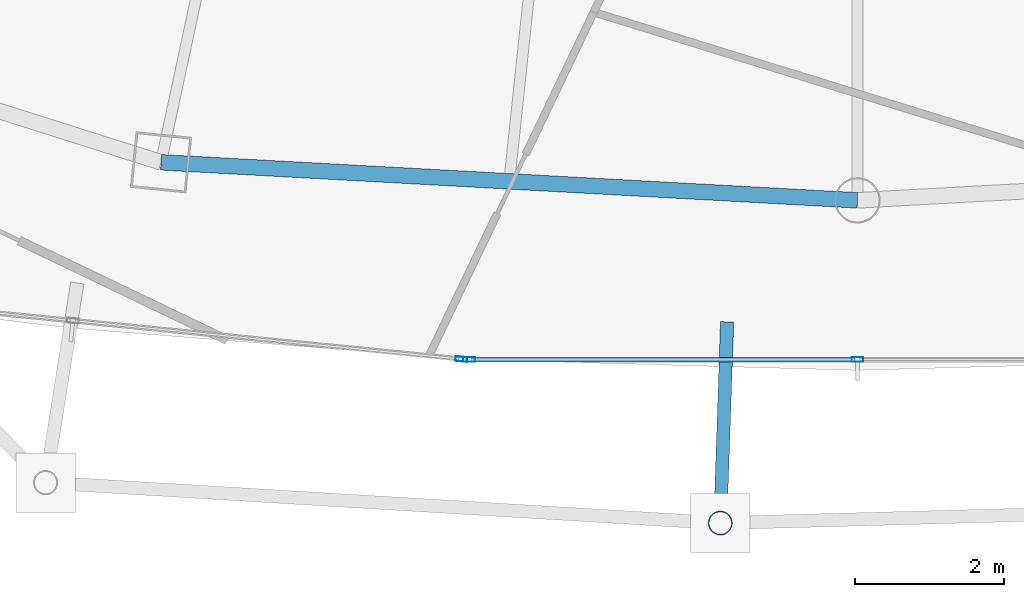
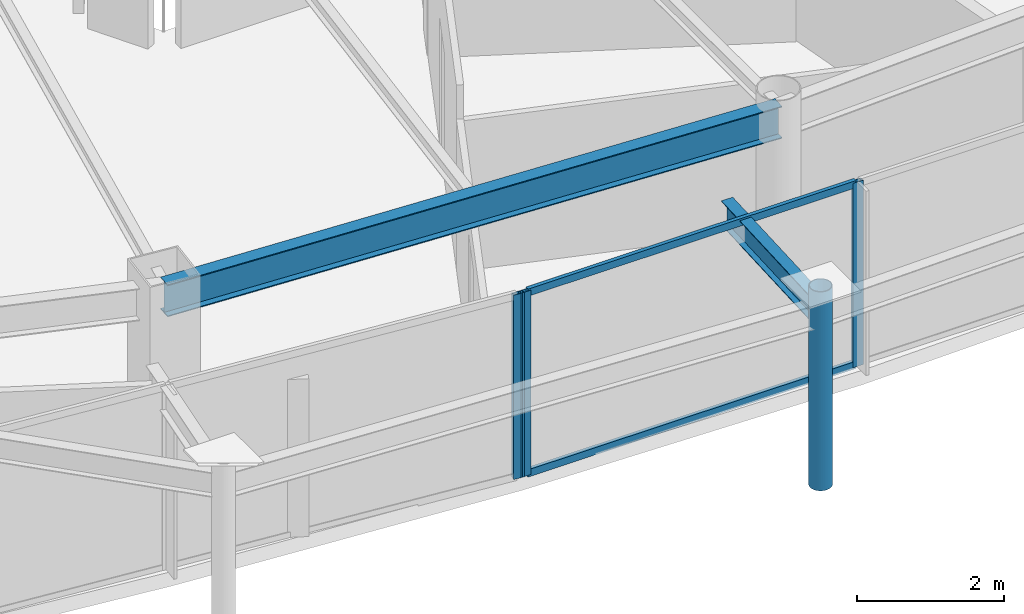
# One storey, part 8 of 33: 6 members, 2 beams, 2 elements without a shape of their own.
"""IFC4 building model written with IfcOpenShell, lengths in metres."""

from ifc_helpers import new_model, si_unit, direction, frame, origin, origin_2d, place, context, subcontext, project, spatial, hollow_rectangle, hollow_circle, i_section, extrude, material, layer, layer_set, material_profile, profile_set, type_object, element, aggregate, save


model = new_model("IFC4")

# Units and contexts
model_context = context("Model", 3, precision=1e-05, world=origin(), true_north=direction((0.0, 1.0)))
body_context = subcontext(model_context, "Body", "Model", "MODEL_VIEW")
ifc_project = project(units=[si_unit("LENGTHUNIT", "METRE"), si_unit("AREAUNIT", "SQUARE_METRE"), si_unit("VOLUMEUNIT", "CUBIC_METRE"), si_unit("PLANEANGLEUNIT", "RADIAN"), si_unit("MASSUNIT", "GRAM", prefix="KILO")], contexts=[model_context])

# Site, building, storey
site_placement = place(None, origin())
site = spatial("IfcSite", under=ifc_project, at=site_placement, CompositionType="ELEMENT")
building_placement = place(site_placement, origin())
building = spatial("IfcBuilding", under=site, at=building_placement, Name="Orvanel Arch Residences", CompositionType="ELEMENT")
storey_placement = place(building_placement, frame((0.0, 0.0, 212.89990234375)))
storey = spatial("IfcBuildingStorey", under=building, at=storey_placement, Name="L60", CompositionType="ELEMENT", Elevation=212.89990234375)

# Curtain wall, member
ifc_material_1 = material(Name="Bronze-anodised aluminium AA6063-T6", Category="aluminium")
ifc_layer = layer(ifc_material_1, 0.175048828125)
ifc_layer_set = layer_set([ifc_layer], Name="Bronze-anodised aluminium AA6063-T6")
curtain_wall_type = type_object("IfcCurtainWallType", Name="CW4-HI-SYS", PredefinedType="NOTDEFINED", material=ifc_layer_set)
curtain_wall_1_placement = place(storey_placement, origin())
curtain_wall_1 = element("IfcCurtainWall", 1, at=curtain_wall_1_placement, inside=storey, type_object=curtain_wall_type, Name="L60 CW4-HI-SYS Unitised Curtain Wall", PredefinedType="NOTDEFINED")
ifc_material_profile_1 = material_profile(ifc_material_1, hollow_rectangle(XDim=0.06494140625, YDim=0.159912109375, WallThickness=0.00390625, at=origin_2d()), Name="ALU160x65x4")
ifc_profile_set_1 = profile_set([ifc_material_profile_1], Name="Bronze-anodised aluminium AA6063-T6")
member_type_1 = type_object("IfcMemberType", Name="MUL-160x65", PredefinedType="MULLION", material=ifc_profile_set_1)
member_1_placement = place(storey_placement, frame((27.6806640625, 4.712158203125, 0.0), z_axis=(0.0, 0.0, 1.0), x_axis=(0.098621122229, 0.995125054579, 0.0)))
member_1 = element("IfcMember", 2, at=member_1_placement, type_object=member_type_1, Name="CW-S4 mullion 3", PredefinedType="MULLION", context=body_context, shape_type="SweptSolid", body=[
    extrude(hollow_rectangle(XDim=0.06494140625, YDim=0.159912109375, WallThickness=0.00390625, at=origin_2d()), origin(), (0.0, 0.0, 1.0), 3.06005859375),
])
aggregate(curtain_wall_1, [member_1])

# Curtain wall, members
curtain_wall_2_placement = place(storey_placement, origin())
curtain_wall_2 = element("IfcCurtainWall", 3, at=curtain_wall_2_placement, inside=storey, type_object=curtain_wall_type, Name="L60 CW4-HI-SYS Unitised Curtain Wall", PredefinedType="NOTDEFINED")
member_2_placement = place(storey_placement, frame((27.785400390625, 4.70703125, 0.0), z_axis=(0.0, 0.0, 1.0), x_axis=(0.0, 1.0, 0.0)))
member_2 = element("IfcMember", 4, at=member_2_placement, type_object=member_type_1, Name="CW-S4 mullion 1", PredefinedType="MULLION", context=body_context, shape_type="SweptSolid", body=[
    extrude(hollow_rectangle(XDim=0.06494140625, YDim=0.159912109375, WallThickness=0.00390625, at=origin_2d()), origin(), (0.0, 0.0, 1.0), 3.06005859375),
])
member_3_placement = place(storey_placement, frame((33.0, 4.70703125, 0.0), z_axis=(0.0, 0.0, 1.0), x_axis=(0.0, 1.0, 0.0)))
member_3 = element("IfcMember", 5, at=member_3_placement, type_object=member_type_1, Name="CW-S4 mullion 2", PredefinedType="MULLION", context=body_context, shape_type="SweptSolid", body=[
    extrude(hollow_rectangle(XDim=0.06494140625, YDim=0.159912109375, WallThickness=0.00390625, at=origin_2d()), origin(), (0.0, 0.0, 1.0), 3.06005859375),
])

# Beams
ifc_material_2 = material(Name="Structural steel AS/NZS 3679.1 Grade 300 (300 MPa)", Category="steel")
ifc_material_profile_2 = material_profile(ifc_material_2, i_section(OverallWidth=0.177978515625, OverallDepth=0.406005859375, WebThickness=0.0078125, FlangeThickness=0.0126953125, at=origin_2d()), Name="410UB59.7")
ifc_profile_set_2 = profile_set([ifc_material_profile_2], Name="Structural steel AS/NZS 3679.1 Grade 300 (300 MPa)")
beam_type_1 = type_object("IfcBeamType", Name="OB-410UB-EXT", PredefinedType="SPANDREL", material=ifc_profile_set_2)
beam_1_placement = place(storey_placement, frame((31.25, 5.212890625, 2.857177734375), z_axis=(-0.034045490843, -0.999420284241, 0.0), x_axis=(0.999420284241, -0.034045490843, 0.0)))
element("IfcBeam", 6, at=beam_1_placement, inside=storey, type_object=beam_type_1, Name="L60 Outer Frame Radial Tie Beam 06", PredefinedType="SPANDREL", context=body_context, shape_type="SweptSolid", body=[
    extrude(i_section(OverallWidth=0.177978515625, OverallDepth=0.406005859375, WebThickness=0.0078125, FlangeThickness=0.0126953125, at=origin_2d()), origin(), (0.0, 0.0, 1.0), 2.703369140625),
])
ifc_material_profile_3 = material_profile(ifc_material_2, i_section(OverallWidth=0.208984375, OverallDepth=0.532958984375, WebThickness=0.01025390625, FlangeThickness=0.015625, at=origin_2d()), Name="530UB92.4")
ifc_profile_set_3 = profile_set([ifc_material_profile_3], Name="Structural steel AS/NZS 3679.1 Grade 300 (300 MPa)")
beam_type_2 = type_object("IfcBeamType", Name="SP-530UB", PredefinedType="SPANDREL", material=ifc_profile_set_3)
beam_2_placement = place(storey_placement, frame((23.64892578125, 7.35498046875, 2.794189453125), z_axis=(0.998510315598, -0.054563262768, 0.0), x_axis=(0.054563262768, 0.998510315598, 0.0)))
element("IfcBeam", 7, at=beam_2_placement, inside=storey, type_object=beam_type_2, Name="L60 Perimeter Spandrel Beam 03", PredefinedType="SPANDREL", context=body_context, shape_type="SweptSolid", body=[
    extrude(i_section(OverallWidth=0.208984375, OverallDepth=0.532958984375, WebThickness=0.01025390625, FlangeThickness=0.015625, at=origin_2d()), origin(), (0.0, 0.0, 1.0), 9.364990234375),
])

# Member
ifc_material_3 = material(Name="Structural steel AS/NZS 1163 C350L0 (Grade 350)", Category="steel")
ifc_material_profile_4 = material_profile(ifc_material_3, hollow_circle(Radius=0.162109375, WallThickness=0.0126953125, at=origin_2d()), Name="CHS324x12.7")
ifc_profile_set_4 = profile_set([ifc_material_profile_4], Name="Structural steel AS/NZS 1163 C350L0 (Grade 350)")
member_type_2 = type_object("IfcMemberType", Name="ST-324CHS-EXT", PredefinedType="STRUT", material=ifc_profile_set_4)
member_4_placement = place(storey_placement, frame((31.157958984375, 2.510986328125, 0.0), z_axis=(0.0, 0.0, 1.0), x_axis=(1.0, 0.0, 0.0)))
element("IfcMember", 8, at=member_4_placement, inside=storey, type_object=member_type_2, Name="L60 Outer Perimeter Frame Post 06", PredefinedType="STRUT", context=body_context, shape_type="SweptSolid", body=[
    extrude(hollow_circle(Radius=0.162109375, WallThickness=0.0126953125, at=origin_2d()), origin(), (0.0, 0.0, 1.0), 3.300048828125),
])

ifc_material_profile_5 = material_profile(ifc_material_1, hollow_rectangle(XDim=0.06005859375, YDim=0.1201171875, WallThickness=0.00341796875, at=origin_2d()), Name="ALU120x60x3.5")
ifc_profile_set_5 = profile_set([ifc_material_profile_5], Name="Bronze-anodised aluminium AA6063-T6")
member_type_3 = type_object("IfcMemberType", Name="TRN-120x60", PredefinedType="USERDEFINED", material=ifc_profile_set_5)
member_5_placement = place(storey_placement, frame((27.818115234375, 4.70703125, 0.030029296875), z_axis=(1.0, 0.0, 0.0), x_axis=(0.0, 1.0, 0.0)))
member_5 = element("IfcMember", 9, at=member_5_placement, type_object=member_type_3, Name="CW-S4 transom 1.1", ObjectType="TRANSOM", PredefinedType="USERDEFINED", context=body_context, shape_type="SweptSolid", body=[
    extrude(hollow_rectangle(XDim=0.06005859375, YDim=0.1201171875, WallThickness=0.00341796875, at=origin_2d()), origin(), (0.0, 0.0, 1.0), 5.1494140625),
])

member_6_placement = place(storey_placement, frame((27.818115234375, 4.70703125, 3.030029296875), z_axis=(1.0, 0.0, 0.0), x_axis=(0.0, 1.0, 0.0)))
member_6 = element("IfcMember", 10, at=member_6_placement, type_object=member_type_3, Name="CW-S4 transom 1.2", ObjectType="TRANSOM", PredefinedType="USERDEFINED", context=body_context, shape_type="SweptSolid", body=[
    extrude(hollow_rectangle(XDim=0.06005859375, YDim=0.1201171875, WallThickness=0.00341796875, at=origin_2d()), origin(), (0.0, 0.0, 1.0), 5.1494140625),
])

aggregate(curtain_wall_2, [member_2, member_3, member_5, member_6])

save(model, "model.ifc")
